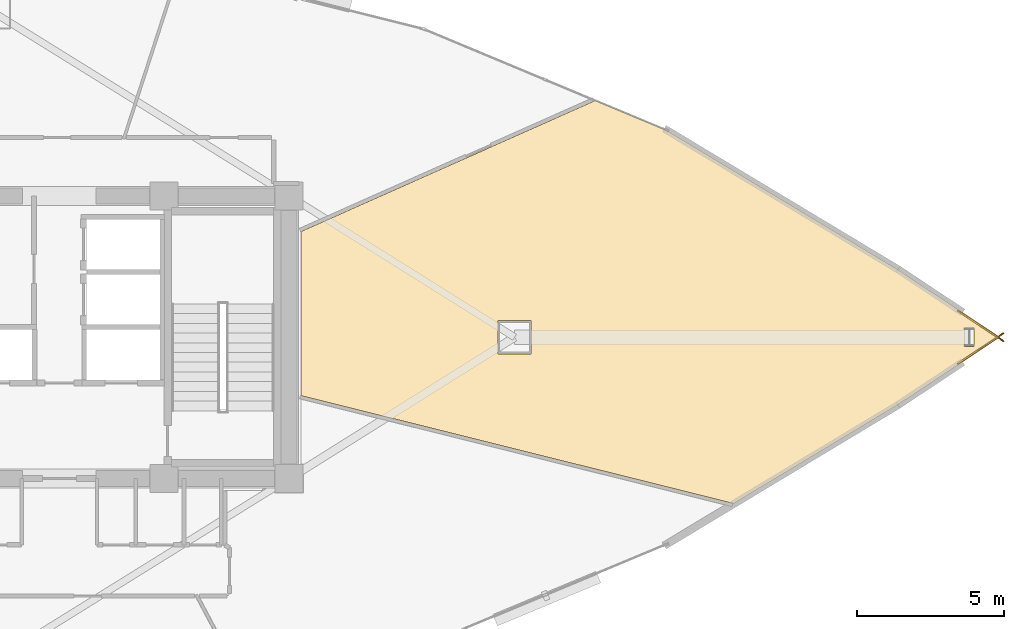
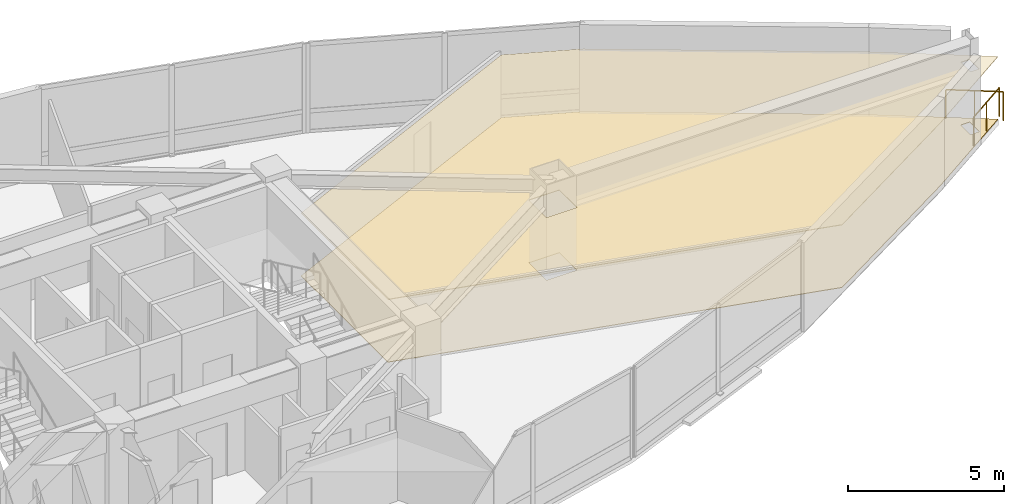
# One storey, part 18 of 18: 2 coverings, 2 railings.
"""IFC4 building model written with IfcOpenShell, lengths in metres."""

from ifc_helpers import new_model, si_unit, direction, frame, origin, origin_2d, place, context, subcontext, project, spatial, polyline, circle, outline, extrude, material, layer, layer_set, type_object, element, save


model = new_model("IFC4")

# Units and contexts
model_context = context("Model", 3, precision=1e-05, world=origin(), true_north=direction((0.0, 1.0)))
body_context = subcontext(model_context, "Body", "Model", "MODEL_VIEW")
ifc_project = project(units=[si_unit("LENGTHUNIT", "METRE"), si_unit("AREAUNIT", "SQUARE_METRE"), si_unit("VOLUMEUNIT", "CUBIC_METRE"), si_unit("PLANEANGLEUNIT", "RADIAN"), si_unit("MASSUNIT", "GRAM", prefix="KILO")], contexts=[model_context])

# Site, building, storey
site_placement = place(None, origin())
site = spatial("IfcSite", under=ifc_project, at=site_placement, CompositionType="ELEMENT")
building_placement = place(site_placement, origin())
building = spatial("IfcBuilding", under=site, at=building_placement, Name="Menara Vayukalpa", CompositionType="ELEMENT")
storey_placement = place(building_placement, frame((0.0, 0.0, 161.760009765625)))
storey = spatial("IfcBuildingStorey", under=building, at=storey_placement, Name="L40", CompositionType="ELEMENT", Elevation=161.760009765625)

# Coverings
ifc_material_1 = material(Name="Mineral Fibre Acoustic Ceiling Tile", Category="masonry")
ifc_layer_1 = layer(ifc_material_1, 0.02490234375)
ifc_layer_set_1 = layer_set([ifc_layer_1], Name="Mineral Fibre Acoustic Ceiling Tile")
covering_type_1 = type_object("IfcCoveringType", Name="COV-CLG1", PredefinedType="CEILING", material=ifc_layer_set_1)
covering_1_placement = place(storey_placement, frame((0.0, 0.0, 2.449951171875)))
element("IfcCovering", 1, at=covering_1_placement, inside=storey, type_object=covering_type_1, Name="L40 Open Plan Office Workplace Acoustic Ceiling", PredefinedType="CEILING", context=body_context, shape_type="SweptSolid", body=[
    extrude(outline(polyline([(54.0810546875, 24.291748046875), (57.521240234375, 22.00830078125), (57.52197265625, 22.0078125), (57.522705078125, 22.007080078125), (57.5234375, 22.00634765625), (57.52392578125, 22.005615234375), (57.5244140625, 22.004638671875), (57.52490234375, 22.00390625), (57.525390625, 22.0029296875), (57.525390625, 22.001953125), (57.525634765625, 22.0009765625), (57.525634765625, 22.0), (57.525634765625, 21.9990234375), (57.525390625, 21.998046875), (57.525390625, 21.9970703125), (57.52490234375, 21.99609375), (57.5244140625, 21.995361328125), (57.52392578125, 21.994384765625), (57.5234375, 21.99365234375), (57.522705078125, 21.992919921875), (57.52197265625, 21.9921875), (57.521240234375, 21.99169921875), (54.0810546875, 19.708251953125), (54.080810546875, 19.7080078125), (48.501953125, 16.3505859375), (48.5009765625, 16.35009765625), (48.500244140625, 16.349609375), (48.499267578125, 16.349365234375), (48.498291015625, 16.34912109375), (48.497314453125, 16.34912109375), (48.49658203125, 16.34912109375), (48.49560546875, 16.34912109375), (48.49462890625, 16.349365234375), (48.49365234375, 16.349609375), (48.492919921875, 16.349853515625), (48.491943359375, 16.350341796875), (48.4912109375, 16.350830078125), (48.489013671875, 16.352294921875), (48.483642578125, 16.35498046875), (48.478271484375, 16.357421875), (48.472412109375, 16.359130859375), (33.817626953125, 20.012939453125), (33.816650390625, 20.01318359375), (33.81591796875, 20.013671875), (33.81494140625, 20.01416015625), (33.814208984375, 20.0146484375), (33.8134765625, 20.01513671875), (33.812744140625, 20.015869140625), (33.81201171875, 20.0166015625), (33.8115234375, 20.017333984375), (33.81103515625, 20.01806640625), (33.810791015625, 20.01904296875), (33.810302734375, 20.02001953125), (33.810302734375, 20.020751953125), (33.81005859375, 20.021728515625), (33.81005859375, 20.022705078125), (33.81005859375, 25.583251953125), (33.81005859375, 25.584228515625), (33.810302734375, 25.585205078125), (33.810302734375, 25.5859375), (33.810791015625, 25.5869140625), (33.81103515625, 25.587890625), (33.8115234375, 25.588623046875), (33.812255859375, 25.58935546875), (33.812744140625, 25.590087890625), (33.8134765625, 25.5908203125), (33.814208984375, 25.59130859375), (33.815185546875, 25.591796875), (33.81591796875, 25.59228515625), (43.76513671875, 30.02197265625), (43.7705078125, 30.024658203125), (43.775634765625, 30.02783203125), (43.7802734375, 30.031494140625), (43.781005859375, 30.0322265625), (43.781982421875, 30.032958984375), (43.78271484375, 30.033447265625), (43.78369140625, 30.033935546875), (43.78466796875, 30.034423828125), (43.78564453125, 30.03466796875), (43.78662109375, 30.034912109375), (43.78759765625, 30.034912109375), (43.788818359375, 30.034912109375), (43.789794921875, 30.03466796875), (43.790771484375, 30.034423828125), (43.791748046875, 30.0341796875), (46.22998046875, 29.0166015625), (46.231201171875, 29.01611328125), (54.080810546875, 24.2919921875), (54.0810546875, 24.291748046875)]), holes=[polyline([(41.6240234375, 22.56494140625), (40.494140625, 22.56494140625), (40.494140625, 21.43505859375), (41.6240234375, 21.43505859375), (41.6240234375, 22.56494140625)]), polyline([(56.6669921875, 22.30908203125), (56.3369140625, 22.30908203125), (56.3369140625, 21.69091796875), (56.6669921875, 21.69091796875), (56.6669921875, 22.30908203125)])]), origin(), (0.0, 0.0, 1.0), 0.025146484375),
])
ifc_material_2 = material(Name="Porcelain Stoneware Floor Tile", Category="masonry")
ifc_layer_2 = layer(ifc_material_2, 0.02001953125)
ifc_layer_set_2 = layer_set([ifc_layer_2], Name="Porcelain Stoneware Floor Tile")
covering_type_2 = type_object("IfcCoveringType", Name="COV-FLR1", PredefinedType="FLOORING", material=ifc_layer_set_2)
covering_2_placement = place(storey_placement, origin())
element("IfcCovering", 2, at=covering_2_placement, inside=storey, type_object=covering_type_2, Name="L40 Open Plan Office Workplace Porcelain Flooring", PredefinedType="FLOORING", context=body_context, shape_type="SweptSolid", body=[
    extrude(outline(polyline([(54.0810546875, 24.291748046875), (57.521240234375, 22.00830078125), (57.52197265625, 22.0078125), (57.522705078125, 22.007080078125), (57.5234375, 22.00634765625), (57.52392578125, 22.005615234375), (57.5244140625, 22.004638671875), (57.52490234375, 22.00390625), (57.525390625, 22.0029296875), (57.525390625, 22.001953125), (57.525634765625, 22.0009765625), (57.525634765625, 22.0), (57.525634765625, 21.9990234375), (57.525390625, 21.998046875), (57.525390625, 21.9970703125), (57.52490234375, 21.99609375), (57.5244140625, 21.995361328125), (57.52392578125, 21.994384765625), (57.5234375, 21.99365234375), (57.522705078125, 21.992919921875), (57.52197265625, 21.9921875), (57.521240234375, 21.99169921875), (54.0810546875, 19.708251953125), (54.080810546875, 19.7080078125), (48.501953125, 16.3505859375), (48.5009765625, 16.35009765625), (48.500244140625, 16.349609375), (48.499267578125, 16.349365234375), (48.498291015625, 16.34912109375), (48.497314453125, 16.34912109375), (48.49658203125, 16.34912109375), (48.49560546875, 16.34912109375), (48.49462890625, 16.349365234375), (48.49365234375, 16.349609375), (48.492919921875, 16.349853515625), (48.491943359375, 16.350341796875), (48.4912109375, 16.350830078125), (48.489013671875, 16.352294921875), (48.483642578125, 16.35498046875), (48.478271484375, 16.357421875), (48.472412109375, 16.359130859375), (33.817626953125, 20.012939453125), (33.816650390625, 20.01318359375), (33.81591796875, 20.013671875), (33.81494140625, 20.01416015625), (33.814208984375, 20.0146484375), (33.8134765625, 20.01513671875), (33.812744140625, 20.015869140625), (33.81201171875, 20.0166015625), (33.8115234375, 20.017333984375), (33.81103515625, 20.01806640625), (33.810791015625, 20.01904296875), (33.810302734375, 20.02001953125), (33.810302734375, 20.020751953125), (33.81005859375, 20.021728515625), (33.81005859375, 20.022705078125), (33.81005859375, 25.583251953125), (33.81005859375, 25.584228515625), (33.810302734375, 25.585205078125), (33.810302734375, 25.5859375), (33.810791015625, 25.5869140625), (33.81103515625, 25.587890625), (33.8115234375, 25.588623046875), (33.812255859375, 25.58935546875), (33.812744140625, 25.590087890625), (33.8134765625, 25.5908203125), (33.814208984375, 25.59130859375), (33.815185546875, 25.591796875), (33.81591796875, 25.59228515625), (43.76513671875, 30.02197265625), (43.7705078125, 30.024658203125), (43.775634765625, 30.02783203125), (43.7802734375, 30.031494140625), (43.781005859375, 30.0322265625), (43.781982421875, 30.032958984375), (43.78271484375, 30.033447265625), (43.78369140625, 30.033935546875), (43.78466796875, 30.034423828125), (43.78564453125, 30.03466796875), (43.78662109375, 30.034912109375), (43.78759765625, 30.034912109375), (43.788818359375, 30.034912109375), (43.789794921875, 30.03466796875), (43.790771484375, 30.034423828125), (43.791748046875, 30.0341796875), (46.22998046875, 29.0166015625), (46.231201171875, 29.01611328125), (54.080810546875, 24.2919921875), (54.0810546875, 24.291748046875)]), holes=[polyline([(41.6240234375, 22.56494140625), (40.494140625, 22.56494140625), (40.494140625, 21.43505859375), (41.6240234375, 21.43505859375), (41.6240234375, 22.56494140625)]), polyline([(56.6669921875, 22.30908203125), (56.3369140625, 22.30908203125), (56.3369140625, 21.69091796875), (56.6669921875, 21.69091796875), (56.6669921875, 22.30908203125)])]), origin(), (0.0, 0.0, 1.0), 0.02001953125),
])

# Railings
ifc_material_3 = material(Name="Laminated Glass and Stainless Steel 316 Guardrail", Category="steel")
railing_type = type_object("IfcRailingType", Name="RLG-EXT115", PredefinedType="GUARDRAIL", material=ifc_material_3)
railing_1_placement = place(storey_placement, frame((56.1171875, 21.107666015625, 0.0)))
element("IfcRailing", 3, at=railing_1_placement, inside=storey, type_object=railing_type, Name="L40 Column Corner Spandrel Guardrail 01-1", PredefinedType="GUARDRAIL", context=body_context, shape_type="SweptSolid", body=[
    extrude(circle(Radius=0.02392578125, at=origin_2d()), frame((0.0, 0.0, 1.1259765625), z_axis=(0.833186138722, 0.552992638505, 0.0), x_axis=(-0.552992638505, 0.833186138722, 0.0)), (0.0, 0.0, 1.0), 1.848876953125),
    extrude(circle(Radius=0.02099609375, at=origin_2d()), origin(), (0.0, 0.0, 1.0), 1.101806640625),
    extrude(circle(Radius=0.02099609375, at=origin_2d()), frame((0.770263671875, 0.51123046875, 0.0)), (0.0, 0.0, 1.0), 1.101806640625),
    extrude(circle(Radius=0.02099609375, at=origin_2d()), frame((1.54052734375, 1.0224609375, 0.0)), (0.0, 0.0, 1.0), 1.101806640625),
])
railing_2_placement = place(storey_placement, frame((57.65771484375, 21.869873046875, 0.0)))
element("IfcRailing", 4, at=railing_2_placement, inside=storey, type_object=railing_type, Name="L40 Column Corner Spandrel Guardrail 02-1", PredefinedType="GUARDRAIL", context=body_context, shape_type="SweptSolid", body=[
    extrude(circle(Radius=0.02392578125, at=origin_2d()), frame((0.0, 0.0, 1.1259765625), z_axis=(-0.833186138722, 0.552992638505, 0.0), x_axis=(-0.552992638505, -0.833186138722, 0.0)), (0.0, 0.0, 1.0), 1.848876953125),
    extrude(circle(Radius=0.02099609375, at=origin_2d()), origin(), (0.0, 0.0, 1.0), 1.101806640625),
    extrude(circle(Radius=0.02099609375, at=origin_2d()), frame((-0.770263671875, 0.51123046875, 0.0)), (0.0, 0.0, 1.0), 1.101806640625),
    extrude(circle(Radius=0.02099609375, at=origin_2d()), frame((-1.54052734375, 1.0224609375, 0.0)), (0.0, 0.0, 1.0), 1.101806640625),
])

save(model, "model.ifc")
